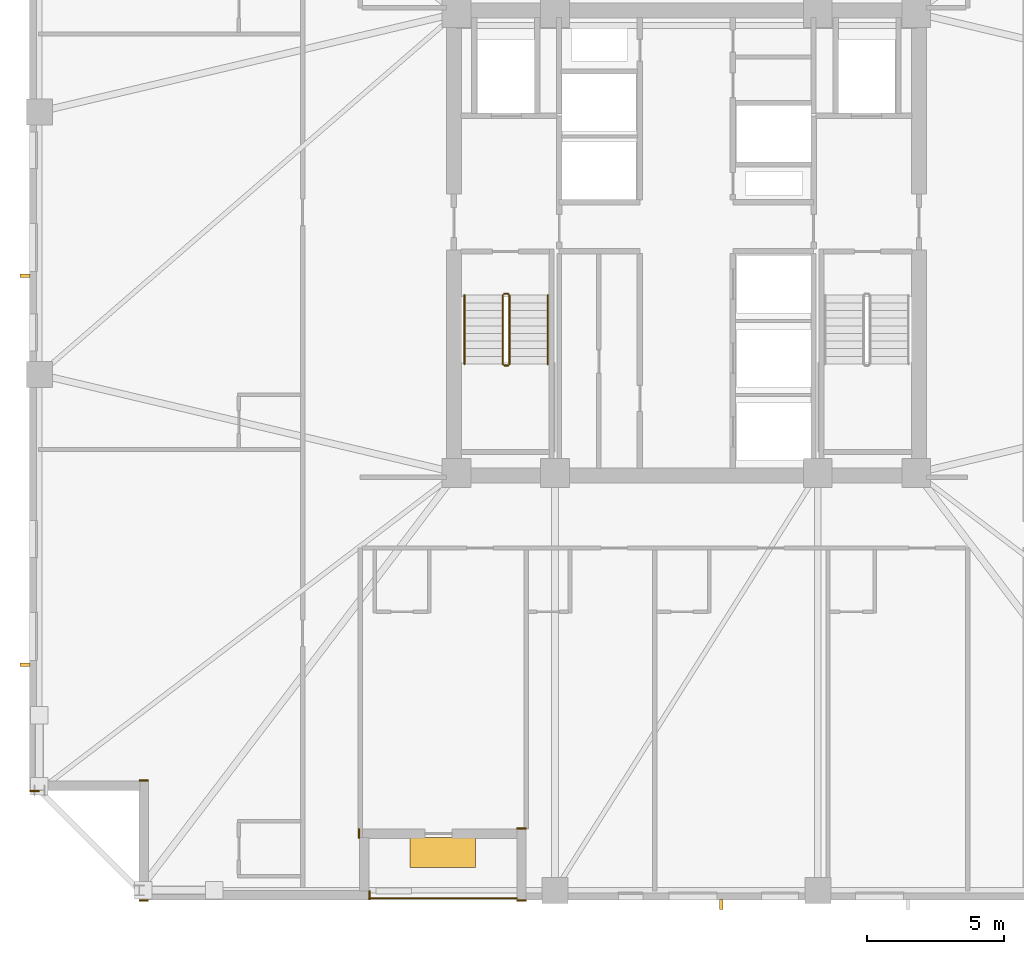
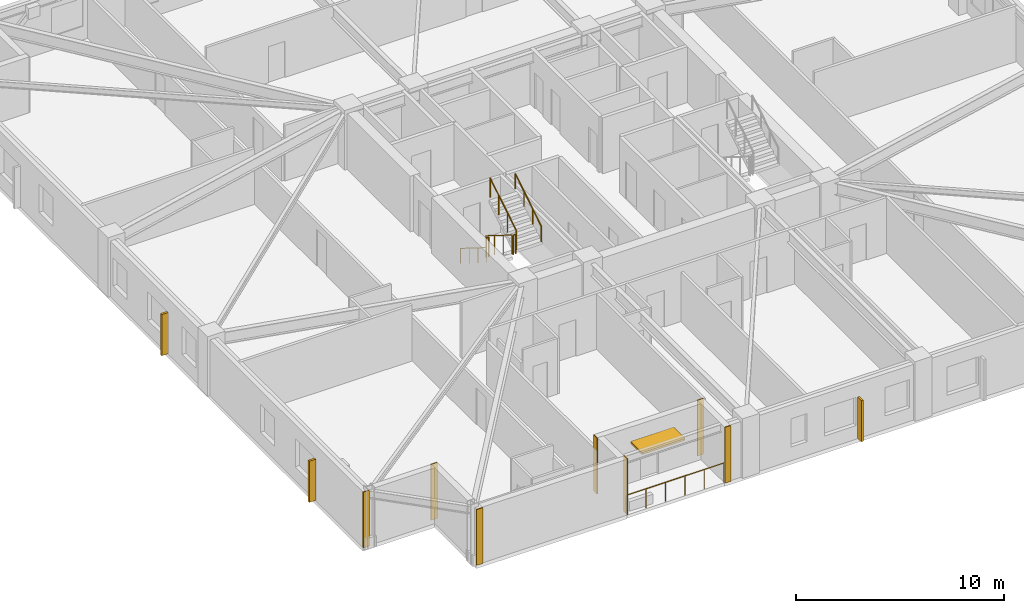
# One storey, part 7 of 10: 7 coverings, 7 railings, 4 shading devices.
"""IFC4 building model written with IfcOpenShell, lengths in metres."""

from ifc_helpers import new_model, si_unit, direction, frame, frame_2d, origin, origin_2d, place, context, subcontext, project, spatial, rectangle, circle, extrude, material, layer, layer_set, type_object, element, save


model = new_model("IFC4")

# Units and contexts
model_context = context("Model", 3, precision=1e-05, world=origin(), true_north=direction((0.0, 1.0)))
body_context = subcontext(model_context, "Body", "Model", "MODEL_VIEW")
ifc_project = project(units=[si_unit("LENGTHUNIT", "METRE"), si_unit("AREAUNIT", "SQUARE_METRE"), si_unit("VOLUMEUNIT", "CUBIC_METRE"), si_unit("PLANEANGLEUNIT", "RADIAN"), si_unit("MASSUNIT", "GRAM", prefix="KILO")], contexts=[model_context])

# Site, building, storey
site_placement = place(None, origin())
site = spatial("IfcSite", under=ifc_project, at=site_placement, CompositionType="ELEMENT")
building_placement = place(site_placement, origin())
building = spatial("IfcBuilding", under=site, at=building_placement, Name="Cairnveth Concourse Tower", CompositionType="ELEMENT")
storey_placement = place(building_placement, frame((0.0, 0.0, 144.5)))
storey = spatial("IfcBuildingStorey", under=building, at=storey_placement, Name="L39", CompositionType="ELEMENT", Elevation=144.5)

# Coverings
ifc_material_1 = material(Name="Dressed Melbourne Bluestone Cladding", Category="masonry")
ifc_layer = layer(ifc_material_1, 0.050048828125)
ifc_layer_set = layer_set([ifc_layer], Name="Dressed Melbourne Bluestone Cladding")
covering_type = type_object("IfcCoveringType", Name="DRESSED BLUESTONE PLINTH CLADDING 50", PredefinedType="CLADDING", material=ifc_layer_set)
for number, where, z_axis, x_axis, name in (
    (1, (40.419921875, 15.340087890625, 0.0), (0.0, 0.0, 1.0), (0.0, -1.0, 0.0), "Melbourne Bluestone Corner Quoin L39-563"),
    (2, (32.340087890625, 14.97998046875, 0.0), (0.0, 0.0, 1.0), (-1.0, 0.0, 0.0), "Melbourne Bluestone Corner Quoin L39-564"),
    (3, (32.340087890625, 19.360107421875, 0.0), (0.0, 0.0, 1.0), (-1.0, 0.0, 0.0), "Melbourne Bluestone Corner Quoin L39-565"),
    (4, (28.340087890625, 18.97998046875, 0.0), (0.0, 0.0, 1.0), (-1.0, 0.0, 0.0), "Melbourne Bluestone Corner Quoin L39-566"),
):
    element("IfcCovering", number, at=place(storey_placement, frame(where, z_axis=z_axis, x_axis=x_axis)), inside=storey, type_object=covering_type, Name=name, PredefinedType="CLADDING", context=body_context, shape_type="SweptSolid", body=[
        extrude(rectangle(XDim=0.340087890625, YDim=0.050048828125, at=frame_2d((0.169921875, 0.0))), origin(), (0.0, 0.0, 1.0), 3.280029296875),
    ])
for number, where, z_axis, x_axis, name in (
    (5, (46.139892578125, 14.97998046875, 0.0), (0.0, 0.0, 1.0), (-1.0, 0.0, 0.0), "Melbourne Bluestone Corner Quoin L39-576"),
    (6, (46.139892578125, 17.610107421875, 0.0), (0.0, 0.0, 1.0), (-1.0, 0.0, 0.0), "Melbourne Bluestone Corner Quoin L39-577"),
):
    element("IfcCovering", number, at=place(storey_placement, frame(where, z_axis=z_axis, x_axis=x_axis)), inside=storey, type_object=covering_type, Name=name, PredefinedType="CLADDING", context=body_context, shape_type="SweptSolid", body=[
        extrude(rectangle(XDim=0.33984375, YDim=0.050048828125, at=frame_2d((0.169921875, 0.0))), origin(), (0.0, 0.0, 1.0), 3.280029296875),
    ])
covering_placement = place(storey_placement, frame((40.0400390625, 17.590087890625, 0.0), z_axis=(0.0, 0.0, 1.0), x_axis=(0.0, -1.0, 0.0)))
element("IfcCovering", 7, at=covering_placement, inside=storey, type_object=covering_type, Name="Melbourne Bluestone Corner Quoin L39-578", PredefinedType="CLADDING", context=body_context, shape_type="SweptSolid", body=[
    extrude(rectangle(XDim=0.340087890625, YDim=0.050048828125, at=frame_2d((0.169921875, 0.0))), origin(), (0.0, 0.0, 1.0), 3.280029296875),
])

# Shading devices
ifc_material_2 = material(Name="Architectural Bronze Anodised Aluminium 6063-T6", Category="aluminium")
shading_device_type_1 = type_object("IfcShadingDeviceType", Name="GOTHIC BRONZE VERTICAL LANCET FIN", PredefinedType="USERDEFINED", material=ifc_material_2)
for number, where, z_axis, x_axis, name in (
    (8, (27.824951171875, 23.591796875, 0.030029296875), (0.0, 0.0, 1.0), (0.0, 1.0, 0.0), "Gothic Bronze Vertical Fin L39-3-1"),
    (9, (27.824951171875, 37.805908203125, 0.030029296875), (0.0, 0.0, 1.0), (0.0, 1.0, 0.0), "Gothic Bronze Vertical Fin L39-3-5"),
    (10, (53.271240234375, 14.824951171875, 0.030029296875), (0.0, 0.0, 1.0), (1.0, 0.0, 0.0), "Gothic Bronze Vertical Fin L39-12-5"),
):
    element("IfcShadingDevice", number, at=place(storey_placement, frame(where, z_axis=z_axis, x_axis=x_axis)), inside=storey, type_object=shading_device_type_1, Name=name, ObjectType="VERTICAL FIN", PredefinedType="USERDEFINED", context=body_context, shape_type="SweptSolid", body=[
        extrude(rectangle(XDim=0.1201171875, YDim=0.360107421875, at=origin_2d()), origin(), (0.0, 0.0, 1.0), 2.419921875),
    ])
shading_device_type_2 = type_object("IfcShadingDeviceType", Name="SPIRAL TERRACE SUNSHADE CANOPY", PredefinedType="USERDEFINED", material=ifc_material_2)
shading_device_placement = place(storey_placement, frame((43.10009765625, 16.72998046875, 2.300048828125), z_axis=(0.0, 0.0, 1.0), x_axis=(1.0, 0.0, 0.0)))
element("IfcShadingDevice", 11, at=shading_device_placement, inside=storey, type_object=shading_device_type_2, Name="Spiral Terrace Sunshade L39", ObjectType="TERRACE SUNSHADE", PredefinedType="USERDEFINED", context=body_context, shape_type="SweptSolid", body=[
    extrude(rectangle(XDim=2.39990234375, YDim=1.10009765625, at=origin_2d()), origin(), (0.0, 0.0, 1.0), 0.1201171875),
])

# Railings
ifc_material_3 = material(Name="Steel Grade 350", Category="steel")
railing_type_1 = type_object("IfcRailingType", Name="STAIR GUARDRAIL 1150", PredefinedType="GUARDRAIL", material=ifc_material_3)
railing_1_placement = place(storey_placement, frame((45.2900390625, 37.10009765625, 0.175048828125)))
element("IfcRailing", 12, at=railing_1_placement, inside=storey, type_object=railing_type_1, Name="L39 ST-1 stair guard 1", PredefinedType="GUARDRAIL", context=body_context, shape_type="SweptSolid", body=[
    extrude(circle(Radius=0.02392578125, at=origin_2d()), frame((0.0, 0.0, 1.1259765625), z_axis=(0.0, -0.848007534815, 0.529984170421), x_axis=(1.0, 0.0, 0.0)), (0.0, 0.0, 1.0), 2.9716796875),
    extrude(circle(Radius=0.02099609375, at=origin_2d()), origin(), (0.0, 0.0, 1.0), 1.101806640625),
    extrude(circle(Radius=0.02099609375, at=origin_2d()), frame((0.0, -0.840087890625, 0.52490234375)), (0.0, 0.0, 1.0), 1.101806640625),
    extrude(circle(Radius=0.02099609375, at=origin_2d()), frame((0.0, -1.679931640625, 1.050048828125)), (0.0, 0.0, 1.0), 1.101806640625),
    extrude(circle(Radius=0.02099609375, at=origin_2d()), frame((0.0, -2.52001953125, 1.574951171875)), (0.0, 0.0, 1.0), 1.101806640625),
])
railing_2_placement = place(storey_placement, frame((45.340087890625, 34.530029296875, 1.75)))
element("IfcRailing", 13, at=railing_2_placement, inside=storey, type_object=railing_type_1, Name="L39 ST-1 stair guard 2", PredefinedType="GUARDRAIL", context=body_context, shape_type="SweptSolid", body=[
    extrude(circle(Radius=0.02392578125, at=origin_2d()), frame((0.0, 0.0, 1.1259765625), z_axis=(1.0, 0.0, 0.0), x_axis=(0.0, 1.0, 0.0)), (0.0, 0.0, 1.0), 0.139892578125),
    extrude(circle(Radius=0.02099609375, at=origin_2d()), origin(), (0.0, 0.0, 1.0), 1.101806640625),
    extrude(circle(Radius=0.02099609375, at=origin_2d()), frame((0.139892578125, 0.0, 0.0)), (0.0, 0.0, 1.0), 1.101806640625),
])
railing_3_placement = place(storey_placement, frame((45.530029296875, 34.580078125, 1.925048828125)))
element("IfcRailing", 14, at=railing_3_placement, inside=storey, type_object=railing_type_1, Name="L39 ST-1 stair guard 3", PredefinedType="GUARDRAIL", context=body_context, shape_type="SweptSolid", body=[
    extrude(circle(Radius=0.02392578125, at=origin_2d()), frame((0.0, 0.0, 1.1259765625), z_axis=(0.0, 0.848007534815, 0.529984170421), x_axis=(-1.0, 0.0, 0.0)), (0.0, 0.0, 1.0), 2.9716796875),
    extrude(circle(Radius=0.02099609375, at=origin_2d()), origin(), (0.0, 0.0, 1.0), 1.101806640625),
    extrude(circle(Radius=0.02099609375, at=origin_2d()), frame((0.0, 0.840087890625, 0.52490234375)), (0.0, 0.0, 1.0), 1.101806640625),
    extrude(circle(Radius=0.02099609375, at=origin_2d()), frame((0.0, 1.679931640625, 1.050048828125)), (0.0, 0.0, 1.0), 1.101806640625),
    extrude(circle(Radius=0.02099609375, at=origin_2d()), frame((0.0, 2.52001953125, 1.574951171875)), (0.0, 0.0, 1.0), 1.101806640625),
])
railing_4_placement = place(storey_placement, frame((45.340087890625, 37.14990234375, 0.0)))
element("IfcRailing", 15, at=railing_4_placement, inside=storey, type_object=railing_type_1, Name="L39 ST-1 stair guard 4", PredefinedType="GUARDRAIL", context=body_context, shape_type="SweptSolid", body=[
    extrude(circle(Radius=0.02392578125, at=origin_2d()), frame((0.0, 0.0, 1.1259765625), z_axis=(1.0, 0.0, 0.0), x_axis=(0.0, 1.0, 0.0)), (0.0, 0.0, 1.0), 0.139892578125),
    extrude(circle(Radius=0.02099609375, at=origin_2d()), origin(), (0.0, 0.0, 1.0), 1.101806640625),
    extrude(circle(Radius=0.02099609375, at=origin_2d()), frame((0.139892578125, 0.0, 0.0)), (0.0, 0.0, 1.0), 1.101806640625),
])
railing_type_2 = type_object("IfcRailingType", Name="STAIR WALL HANDRAIL 900", PredefinedType="HANDRAIL", material=ifc_material_3)
railing_5_placement = place(storey_placement, frame((43.889892578125, 37.10009765625, 0.175048828125)))
element("IfcRailing", 16, at=railing_5_placement, inside=storey, type_object=railing_type_2, Name="L39 ST-1 stair handrail 1", PredefinedType="HANDRAIL", context=body_context, shape_type="SweptSolid", body=[
    extrude(circle(Radius=0.02392578125, at=origin_2d()), frame((0.0, 0.0, 0.8759765625), z_axis=(0.0, -0.848007534815, 0.529984170421), x_axis=(1.0, 0.0, 0.0)), (0.0, 0.0, 1.0), 2.9716796875),
    extrude(circle(Radius=0.02099609375, at=origin_2d()), origin(), (0.0, 0.0, 1.0), 0.851806640625),
    extrude(circle(Radius=0.02099609375, at=origin_2d()), frame((0.0, -0.840087890625, 0.52490234375)), (0.0, 0.0, 1.0), 0.851806640625),
    extrude(circle(Radius=0.02099609375, at=origin_2d()), frame((0.0, -1.679931640625, 1.050048828125)), (0.0, 0.0, 1.0), 0.851806640625),
    extrude(circle(Radius=0.02099609375, at=origin_2d()), frame((0.0, -2.52001953125, 1.574951171875)), (0.0, 0.0, 1.0), 0.851806640625),
])
railing_6_placement = place(storey_placement, frame((46.929931640625, 34.580078125, 1.925048828125)))
element("IfcRailing", 17, at=railing_6_placement, inside=storey, type_object=railing_type_2, Name="L39 ST-1 stair handrail 2", PredefinedType="HANDRAIL", context=body_context, shape_type="SweptSolid", body=[
    extrude(circle(Radius=0.02392578125, at=origin_2d()), frame((0.0, 0.0, 0.8759765625), z_axis=(0.0, 0.848007534815, 0.529984170421), x_axis=(-1.0, 0.0, 0.0)), (0.0, 0.0, 1.0), 2.9716796875),
    extrude(circle(Radius=0.02099609375, at=origin_2d()), origin(), (0.0, 0.0, 1.0), 0.851806640625),
    extrude(circle(Radius=0.02099609375, at=origin_2d()), frame((0.0, 0.840087890625, 0.52490234375)), (0.0, 0.0, 1.0), 0.851806640625),
    extrude(circle(Radius=0.02099609375, at=origin_2d()), frame((0.0, 1.679931640625, 1.050048828125)), (0.0, 0.0, 1.0), 0.851806640625),
    extrude(circle(Radius=0.02099609375, at=origin_2d()), frame((0.0, 2.52001953125, 1.574951171875)), (0.0, 0.0, 1.0), 0.851806640625),
])
railing_type_3 = type_object("IfcRailingType", Name="TERRACE BRONZE BALUSTRADE 1150", PredefinedType="BALUSTRADE", material=ifc_material_2)
railing_7_placement = place(storey_placement, frame((40.39990234375, 15.06005859375, 0.0)))
element("IfcRailing", 18, at=railing_7_placement, inside=storey, type_object=railing_type_3, Name="Terrace Balustrade RL-L39-TERR", PredefinedType="BALUSTRADE", context=body_context, shape_type="SweptSolid", body=[
    extrude(circle(Radius=0.02490234375, at=origin_2d()), frame((0.0, 0.0, 1.125), z_axis=(1.0, 0.0, 0.0), x_axis=(0.0, 1.0, 0.0)), (0.0, 0.0, 1.0), 5.400146484375),
    extrude(circle(Radius=0.02099609375, at=origin_2d()), origin(), (0.0, 0.0, 1.0), 1.099853515625),
    extrude(circle(Radius=0.02099609375, at=origin_2d()), frame((1.080078125, 0.0, 0.0)), (0.0, 0.0, 1.0), 1.099853515625),
    extrude(circle(Radius=0.02099609375, at=origin_2d()), frame((2.16015625, 0.0, 0.0)), (0.0, 0.0, 1.0), 1.099853515625),
    extrude(circle(Radius=0.02099609375, at=origin_2d()), frame((3.239990234375, 0.0, 0.0)), (0.0, 0.0, 1.0), 1.099853515625),
    extrude(circle(Radius=0.02099609375, at=origin_2d()), frame((4.320068359375, 0.0, 0.0)), (0.0, 0.0, 1.0), 1.099853515625),
    extrude(circle(Radius=0.02099609375, at=origin_2d()), frame((5.400146484375, 0.0, 0.0)), (0.0, 0.0, 1.0), 1.099853515625),
])

save(model, "model.ifc")
